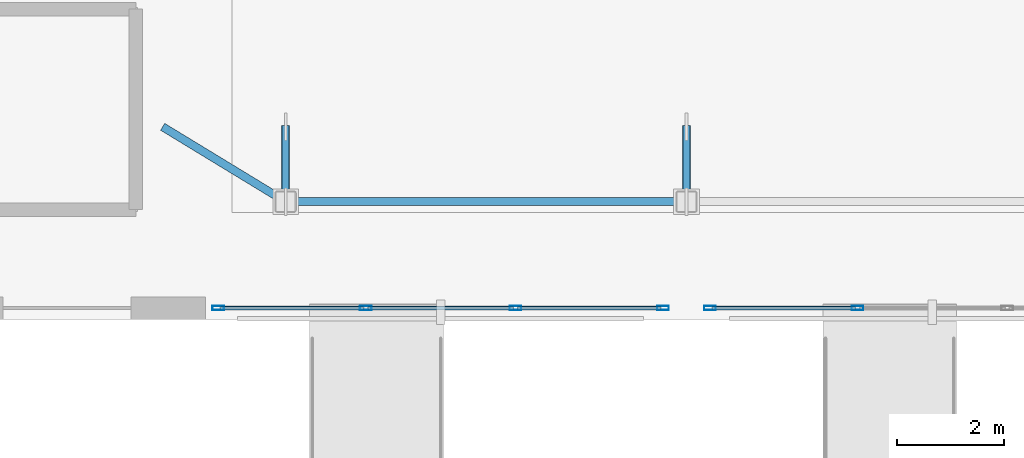
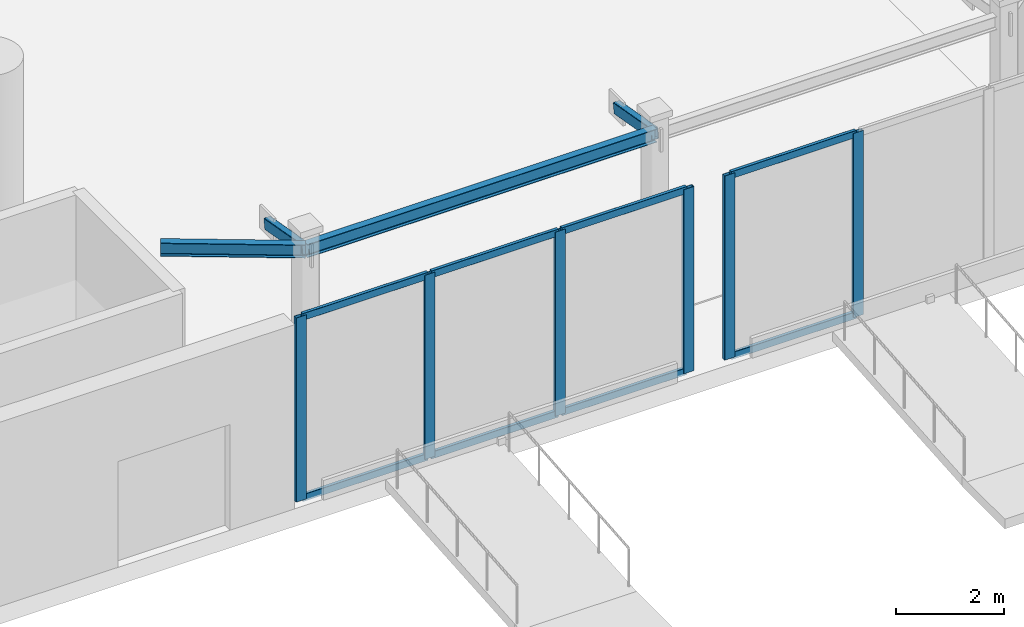
# One storey, part 12 of 42: 16 members, 2 beams, 2 elements without a shape of their own.
"""IFC4 building model written with IfcOpenShell, lengths in metres."""

from ifc_helpers import new_model, si_unit, direction, frame, origin, origin_2d, place, context, subcontext, project, spatial, hollow_rectangle, i_section, extrude, material, material_profile, profile_set, type_object, element, aggregate, save


model = new_model("IFC4")

# Units and contexts
model_context = context("Model", 3, precision=1e-05, world=origin(), true_north=direction((0.0, 1.0)))
body_context = subcontext(model_context, "Body", "Model", "MODEL_VIEW")
ifc_project = project(units=[si_unit("LENGTHUNIT", "METRE"), si_unit("AREAUNIT", "SQUARE_METRE"), si_unit("VOLUMEUNIT", "CUBIC_METRE"), si_unit("PLANEANGLEUNIT", "RADIAN"), si_unit("MASSUNIT", "GRAM", prefix="KILO")], contexts=[model_context])

# Site, building, storey
site_placement = place(None, origin())
site = spatial("IfcSite", under=ifc_project, at=site_placement, CompositionType="ELEMENT")
building_placement = place(site_placement, origin())
building = spatial("IfcBuilding", under=site, at=building_placement, Name="Narakoshi Arena Tower", CompositionType="ELEMENT")
storey_placement = place(building_placement, origin())
storey = spatial("IfcBuildingStorey", under=building, at=storey_placement, Name="L00", CompositionType="ELEMENT", Elevation=0.0)

# Beams
ifc_material_1 = material(Name="Structural steel S355J2", Category="steel")
ifc_material_profile_1 = material_profile(ifc_material_1, i_section(OverallWidth=0.14990234375, OverallDepth=0.300048828125, WebThickness=0.007080078125, FlangeThickness=0.0107421875, FilletRadius=0.014892578125, at=origin_2d()), Name="IPE300")
ifc_profile_set_1 = profile_set([ifc_material_profile_1], Name="Structural steel S355J2")
beam_type = type_object("IfcBeamType", Name="BM-CAN-300", PredefinedType="BEAM", material=ifc_profile_set_1)
beam_1_placement = place(storey_placement, frame((51.199951171875, 3.60009765625, 4.030029296875), z_axis=(0.854179295983, -0.519978586399, 0.0), x_axis=(0.519978586399, 0.854179295983, 0.0)))
element("IfcBeam", 1, at=beam_1_placement, inside=storey, type_object=beam_type, Name="L00 Concourse Canopy Beam 01", PredefinedType="BEAM", context=body_context, shape_type="SweptSolid", body=[
    extrude(i_section(OverallWidth=0.14990234375, OverallDepth=0.300048828125, WebThickness=0.007080078125, FlangeThickness=0.0107421875, FilletRadius=0.014892578125, at=origin_2d()), origin(), (0.0, 0.0, 1.0), 2.692626953125),
])
beam_2_placement = place(storey_placement, frame((53.5, 2.199951171875, 4.030029296875), z_axis=(1.0, 0.0, 0.0), x_axis=(0.0, 1.0, 0.0)))
element("IfcBeam", 2, at=beam_2_placement, inside=storey, type_object=beam_type, Name="L00 Concourse Canopy Beam 02", PredefinedType="BEAM", context=body_context, shape_type="SweptSolid", body=[
    extrude(i_section(OverallWidth=0.14990234375, OverallDepth=0.300048828125, WebThickness=0.007080078125, FlangeThickness=0.0107421875, FilletRadius=0.014892578125, at=origin_2d()), origin(), (0.0, 0.0, 1.0), 7.5),
])

# Members
ifc_material_profile_2 = material_profile(ifc_material_1, hollow_rectangle(XDim=0.14990234375, YDim=0.25, WallThickness=0.010009765625, OuterFilletRadius=0.02001953125, at=origin_2d()), Name="RHS250x150x10")
ifc_profile_set_2 = profile_set([ifc_material_profile_2], Name="Structural steel S355J2")
member_type_1 = type_object("IfcMemberType", Name="MEM-CAN-250", PredefinedType="STRINGER", material=ifc_profile_set_2)
for number, where, z_axis, x_axis, name in (
    (3, (53.5, 2.199951171875, 4.030029296875), (0.0, 0.984430758038, -0.175772815385), (-1.0, 0.0, 0.0), "L00 Concourse Canopy Tie 01"),
    (4, (61.0, 2.199951171875, 4.030029296875), (0.0, 0.984430758038, -0.175772815385), (-1.0, 0.0, 0.0), "L00 Concourse Canopy Tie 02"),
):
    element("IfcMember", number, at=place(storey_placement, frame(where, z_axis=z_axis, x_axis=x_axis)), inside=storey, type_object=member_type_1, Name=name, PredefinedType="STRINGER", context=body_context, shape_type="SweptSolid", body=[
        extrude(hollow_rectangle(XDim=0.14990234375, YDim=0.25, WallThickness=0.010009765625, OuterFilletRadius=0.02001953125, at=origin_2d()), origin(), (0.0, 0.0, 1.0), 1.42236328125),
    ])

# Curtain wall, members
ifc_material_2 = material(Name="Anodised bronze aluminium 6063-T6", Category="aluminium")
curtain_wall_type = type_object("IfcCurtainWallType", Name="CW-POD-CONC", PredefinedType="NOTDEFINED", material=ifc_material_2)
curtain_wall_1_placement = place(storey_placement, origin())
curtain_wall_1 = element("IfcCurtainWall", 5, at=curtain_wall_1_placement, inside=storey, type_object=curtain_wall_type, Name="L00 Street Concourse Curtain Wall CS1", PredefinedType="NOTDEFINED")
ifc_material_profile_3 = material_profile(ifc_material_2, hollow_rectangle(XDim=0.080078125, YDim=0.219970703125, WallThickness=0.0048828125, OuterFilletRadius=0.006103515625, at=origin_2d()), Name="MUL220x80x5")
ifc_profile_set_3 = profile_set([ifc_material_profile_3], Name="Anodised bronze aluminium 6063-T6")
member_type_2 = type_object("IfcMemberType", Name="MEM-MUL-220", PredefinedType="MULLION", material=ifc_profile_set_3)
member_1_placement = place(storey_placement, frame((52.239990234375, 0.2099609375, 0.0), z_axis=(0.0, 0.0, 1.0), x_axis=(0.0, 1.0, 0.0)))
member_1 = element("IfcMember", 6, at=member_1_placement, type_object=member_type_2, Name="CW-04 mullion 1", PredefinedType="MULLION", context=body_context, shape_type="SweptSolid", body=[
    extrude(hollow_rectangle(XDim=0.080078125, YDim=0.219970703125, WallThickness=0.0048828125, OuterFilletRadius=0.006103515625, at=origin_2d()), origin(), (0.0, 0.0, 1.0), 4.179931640625),
])
member_2_placement = place(storey_placement, frame((55.0, 0.2099609375, 0.0), z_axis=(0.0, 0.0, 1.0), x_axis=(0.0, 1.0, 0.0)))
member_2 = element("IfcMember", 7, at=member_2_placement, type_object=member_type_2, Name="CW-04 mullion 2", PredefinedType="MULLION", context=body_context, shape_type="SweptSolid", body=[
    extrude(hollow_rectangle(XDim=0.080078125, YDim=0.219970703125, WallThickness=0.0048828125, OuterFilletRadius=0.006103515625, at=origin_2d()), origin(), (0.0, 0.0, 1.0), 4.179931640625),
])
member_3_placement = place(storey_placement, frame((57.800048828125, 0.2099609375, 0.0), z_axis=(0.0, 0.0, 1.0), x_axis=(0.0, 1.0, 0.0)))
member_3 = element("IfcMember", 8, at=member_3_placement, type_object=member_type_2, Name="CW-04 mullion 3", PredefinedType="MULLION", context=body_context, shape_type="SweptSolid", body=[
    extrude(hollow_rectangle(XDim=0.080078125, YDim=0.219970703125, WallThickness=0.0048828125, OuterFilletRadius=0.006103515625, at=origin_2d()), origin(), (0.0, 0.0, 1.0), 4.179931640625),
])
member_4_placement = place(storey_placement, frame((60.56005859375, 0.2099609375, 0.0), z_axis=(0.0, 0.0, 1.0), x_axis=(0.0, 1.0, 0.0)))
member_4 = element("IfcMember", 9, at=member_4_placement, type_object=member_type_2, Name="CW-04 mullion 4", PredefinedType="MULLION", context=body_context, shape_type="SweptSolid", body=[
    extrude(hollow_rectangle(XDim=0.080078125, YDim=0.219970703125, WallThickness=0.0048828125, OuterFilletRadius=0.006103515625, at=origin_2d()), origin(), (0.0, 0.0, 1.0), 4.179931640625),
])

curtain_wall_2_placement = place(storey_placement, origin())
curtain_wall_2 = element("IfcCurtainWall", 10, at=curtain_wall_2_placement, inside=storey, type_object=curtain_wall_type, Name="L00 Street Concourse Curtain Wall CS2", PredefinedType="NOTDEFINED")
member_5_placement = place(storey_placement, frame((61.43994140625, 0.2099609375, 0.0), z_axis=(0.0, 0.0, 1.0), x_axis=(0.0, 1.0, 0.0)))
member_5 = element("IfcMember", 11, at=member_5_placement, type_object=member_type_2, Name="CW-04 mullion 1", PredefinedType="MULLION", context=body_context, shape_type="SweptSolid", body=[
    extrude(hollow_rectangle(XDim=0.080078125, YDim=0.219970703125, WallThickness=0.0048828125, OuterFilletRadius=0.006103515625, at=origin_2d()), origin(), (0.0, 0.0, 1.0), 4.179931640625),
])
member_6_placement = place(storey_placement, frame((64.199951171875, 0.2099609375, 0.0), z_axis=(0.0, 0.0, 1.0), x_axis=(0.0, 1.0, 0.0)))
member_6 = element("IfcMember", 12, at=member_6_placement, type_object=member_type_2, Name="CW-04 mullion 2", PredefinedType="MULLION", context=body_context, shape_type="SweptSolid", body=[
    extrude(hollow_rectangle(XDim=0.080078125, YDim=0.219970703125, WallThickness=0.0048828125, OuterFilletRadius=0.006103515625, at=origin_2d()), origin(), (0.0, 0.0, 1.0), 4.179931640625),
])

# Member
ifc_material_profile_4 = material_profile(ifc_material_2, hollow_rectangle(XDim=0.070068359375, YDim=0.159912109375, WallThickness=0.00390625, OuterFilletRadius=0.0048828125, at=origin_2d()), Name="TRN160x70x4")
ifc_profile_set_4 = profile_set([ifc_material_profile_4], Name="Anodised bronze aluminium 6063-T6")
member_type_3 = type_object("IfcMemberType", Name="MEM-TRN-160", PredefinedType="USERDEFINED", material=ifc_profile_set_4)
member_7_placement = place(storey_placement, frame((52.280029296875, 0.2099609375, 0.034912109375), z_axis=(1.0, 0.0, 0.0), x_axis=(0.0, 1.0, 0.0)))
member_7 = element("IfcMember", 13, at=member_7_placement, type_object=member_type_3, Name="CW-04 transom 1.1", ObjectType="TRANSOM", PredefinedType="USERDEFINED", context=body_context, shape_type="SweptSolid", body=[
    extrude(hollow_rectangle(XDim=0.070068359375, YDim=0.159912109375, WallThickness=0.00390625, OuterFilletRadius=0.0048828125, at=origin_2d()), origin(), (0.0, 0.0, 1.0), 2.679931640625),
])

member_8_placement = place(storey_placement, frame((52.280029296875, 0.2099609375, 4.14501953125), z_axis=(1.0, 0.0, 0.0), x_axis=(0.0, 1.0, 0.0)))
member_8 = element("IfcMember", 14, at=member_8_placement, type_object=member_type_3, Name="CW-04 transom 1.2", ObjectType="TRANSOM", PredefinedType="USERDEFINED", context=body_context, shape_type="SweptSolid", body=[
    extrude(hollow_rectangle(XDim=0.070068359375, YDim=0.159912109375, WallThickness=0.00390625, OuterFilletRadius=0.0048828125, at=origin_2d()), origin(), (0.0, 0.0, 1.0), 2.679931640625),
])

member_9_placement = place(storey_placement, frame((55.0400390625, 0.2099609375, 0.034912109375), z_axis=(1.0, 0.0, 0.0), x_axis=(0.0, 1.0, 0.0)))
member_9 = element("IfcMember", 15, at=member_9_placement, type_object=member_type_3, Name="CW-04 transom 2.1", ObjectType="TRANSOM", PredefinedType="USERDEFINED", context=body_context, shape_type="SweptSolid", body=[
    extrude(hollow_rectangle(XDim=0.070068359375, YDim=0.159912109375, WallThickness=0.00390625, OuterFilletRadius=0.0048828125, at=origin_2d()), origin(), (0.0, 0.0, 1.0), 2.719970703125),
])

member_10_placement = place(storey_placement, frame((55.0400390625, 0.2099609375, 4.14501953125), z_axis=(1.0, 0.0, 0.0), x_axis=(0.0, 1.0, 0.0)))
member_10 = element("IfcMember", 16, at=member_10_placement, type_object=member_type_3, Name="CW-04 transom 2.2", ObjectType="TRANSOM", PredefinedType="USERDEFINED", context=body_context, shape_type="SweptSolid", body=[
    extrude(hollow_rectangle(XDim=0.070068359375, YDim=0.159912109375, WallThickness=0.00390625, OuterFilletRadius=0.0048828125, at=origin_2d()), origin(), (0.0, 0.0, 1.0), 2.719970703125),
])

member_11_placement = place(storey_placement, frame((57.840087890625, 0.2099609375, 0.034912109375), z_axis=(1.0, 0.0, 0.0), x_axis=(0.0, 1.0, 0.0)))
member_11 = element("IfcMember", 17, at=member_11_placement, type_object=member_type_3, Name="CW-04 transom 3.1", ObjectType="TRANSOM", PredefinedType="USERDEFINED", context=body_context, shape_type="SweptSolid", body=[
    extrude(hollow_rectangle(XDim=0.070068359375, YDim=0.159912109375, WallThickness=0.00390625, OuterFilletRadius=0.0048828125, at=origin_2d()), origin(), (0.0, 0.0, 1.0), 2.679931640625),
])

member_12_placement = place(storey_placement, frame((57.840087890625, 0.2099609375, 4.14501953125), z_axis=(1.0, 0.0, 0.0), x_axis=(0.0, 1.0, 0.0)))
member_12 = element("IfcMember", 18, at=member_12_placement, type_object=member_type_3, Name="CW-04 transom 3.2", ObjectType="TRANSOM", PredefinedType="USERDEFINED", context=body_context, shape_type="SweptSolid", body=[
    extrude(hollow_rectangle(XDim=0.070068359375, YDim=0.159912109375, WallThickness=0.00390625, OuterFilletRadius=0.0048828125, at=origin_2d()), origin(), (0.0, 0.0, 1.0), 2.679931640625),
])

aggregate(curtain_wall_1, [member_1, member_2, member_3, member_4, member_7, member_8, member_9, member_10, member_11, member_12])

member_13_placement = place(storey_placement, frame((61.47998046875, 0.2099609375, 0.034912109375), z_axis=(1.0, 0.0, 0.0), x_axis=(0.0, 1.0, 0.0)))
member_13 = element("IfcMember", 19, at=member_13_placement, type_object=member_type_3, Name="CW-04 transom 1.1", ObjectType="TRANSOM", PredefinedType="USERDEFINED", context=body_context, shape_type="SweptSolid", body=[
    extrude(hollow_rectangle(XDim=0.070068359375, YDim=0.159912109375, WallThickness=0.00390625, OuterFilletRadius=0.0048828125, at=origin_2d()), origin(), (0.0, 0.0, 1.0), 2.679931640625),
])

member_14_placement = place(storey_placement, frame((61.47998046875, 0.2099609375, 4.14501953125), z_axis=(1.0, 0.0, 0.0), x_axis=(0.0, 1.0, 0.0)))
member_14 = element("IfcMember", 20, at=member_14_placement, type_object=member_type_3, Name="CW-04 transom 1.2", ObjectType="TRANSOM", PredefinedType="USERDEFINED", context=body_context, shape_type="SweptSolid", body=[
    extrude(hollow_rectangle(XDim=0.070068359375, YDim=0.159912109375, WallThickness=0.00390625, OuterFilletRadius=0.0048828125, at=origin_2d()), origin(), (0.0, 0.0, 1.0), 2.679931640625),
])

aggregate(curtain_wall_2, [member_5, member_6, member_13, member_14])

save(model, "model.ifc")
